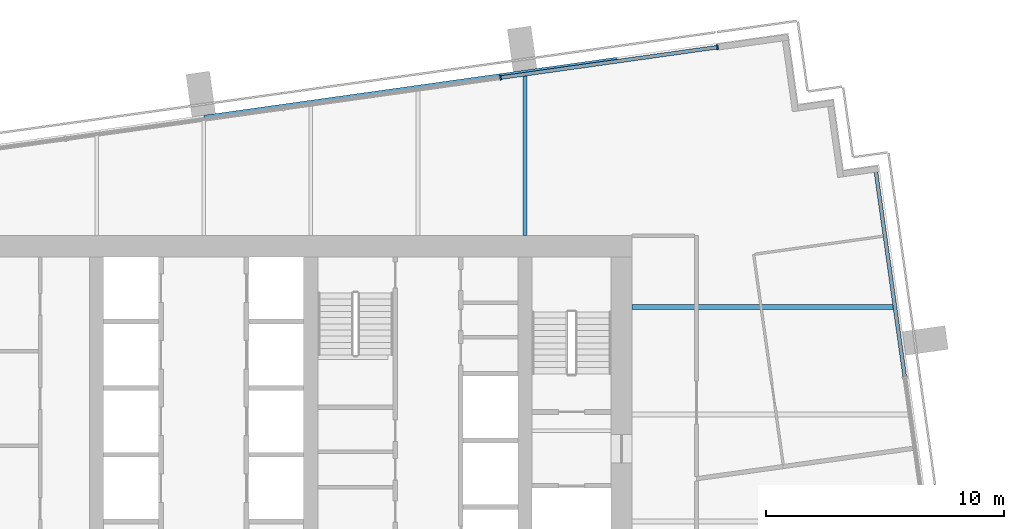
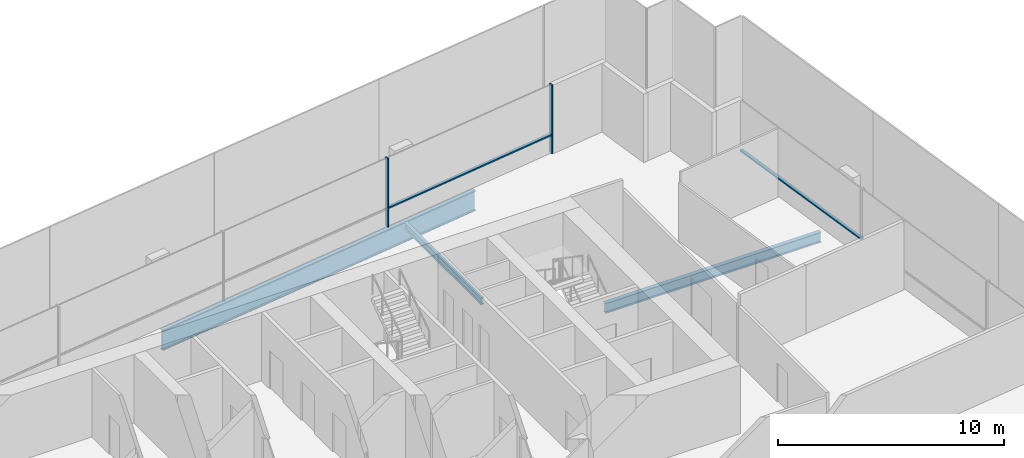
# One storey, part 7 of 17: 4 members, 3 beams, 2 elements without a shape of their own.
"""IFC4 building model written with IfcOpenShell, lengths in metres."""

from ifc_helpers import new_model, si_unit, direction, frame, origin, origin_2d, place, context, subcontext, project, spatial, rectangle, i_section, extrude, material, layer, layer_set, material_profile, profile_set, type_object, element, aggregate, save


model = new_model("IFC4")

# Units and contexts
model_context = context("Model", 3, precision=1e-05, world=origin(), true_north=direction((0.0, 1.0)))
body_context = subcontext(model_context, "Body", "Model", "MODEL_VIEW")
ifc_project = project(units=[si_unit("LENGTHUNIT", "METRE"), si_unit("AREAUNIT", "SQUARE_METRE"), si_unit("VOLUMEUNIT", "CUBIC_METRE"), si_unit("PLANEANGLEUNIT", "RADIAN"), si_unit("MASSUNIT", "GRAM", prefix="KILO")], contexts=[model_context])

# Site, building, storey
site_placement = place(None, origin())
site = spatial("IfcSite", under=ifc_project, at=site_placement, CompositionType="ELEMENT")
building_placement = place(site_placement, origin())
building = spatial("IfcBuilding", under=site, at=building_placement, Name="Rattan Terrace Tower", CompositionType="ELEMENT")
storey_placement = place(building_placement, frame((0.0, 0.0, 236.89990234375)))
storey = spatial("IfcBuildingStorey", under=building, at=storey_placement, Name="L54", CompositionType="ELEMENT", Elevation=236.89990234375)

# Beams
ifc_material_1 = material(Name="Steel S460", Category="steel")
ifc_material_profile_1 = material_profile(ifc_material_1, i_section(OverallWidth=0.179931640625, OverallDepth=1.10009765625, WebThickness=0.01611328125, FlangeThickness=0.050048828125, at=origin_2d()), Name="PG 1100x180-16-50")
ifc_profile_set_1 = profile_set([ifc_material_profile_1], Name="Steel S460")
beam_type_1 = type_object("IfcBeamType", Name="Frame edge girder PG 1100x180-16-50", PredefinedType="SPANDREL", material=ifc_profile_set_1)
beam_1_placement = place(storey_placement, frame((17.3740234375, 14.909912109375, -0.75), z_axis=(-0.990275742813, -0.139118486179, 0.0), x_axis=(0.139118486179, -0.990275742813, 0.0)))
element("IfcBeam", 1, at=beam_1_placement, inside=storey, type_object=beam_type_1, Name="gdr-L54-006", PredefinedType="SPANDREL", context=body_context, shape_type="SweptSolid", body=[
    extrude(i_section(OverallWidth=0.179931640625, OverallDepth=1.10009765625, WebThickness=0.01611328125, FlangeThickness=0.050048828125, at=origin_2d()), origin(), (0.0, 0.0, 1.0), 17.531494140625),
])
ifc_material_2 = material(Name="Steel S355", Category="steel")
ifc_material_profile_2 = material_profile(ifc_material_2, i_section(OverallWidth=0.169921875, OverallDepth=0.360107421875, WebThickness=0.008056640625, FlangeThickness=0.0126953125, FilletRadius=0.01806640625, at=origin_2d()), Name="IPE 360")
ifc_profile_set_2 = profile_set([ifc_material_profile_2], Name="Steel S355")
beam_type_2 = type_object("IfcBeamType", Name="Frame floor beam IPE 360", PredefinedType="JOIST", material=ifc_profile_set_2)
beam_2_placement = place(storey_placement, frame((13.5, 7.5, -0.3798828125), z_axis=(0.0, 1.0, 0.0), x_axis=(-1.0, 0.0, 0.0)))
element("IfcBeam", 2, at=beam_2_placement, inside=storey, type_object=beam_type_2, Name="bm-L54-020", PredefinedType="JOIST", context=body_context, shape_type="SweptSolid", body=[
    extrude(i_section(OverallWidth=0.169921875, OverallDepth=0.360107421875, WebThickness=0.008056640625, FlangeThickness=0.0126953125, FilletRadius=0.01806640625, at=origin_2d()), origin(), (0.0, 0.0, 1.0), 6.762939453125),
])
ifc_material_3 = material(Name="Steel S355", Category="steel")
ifc_material_profile_3 = material_profile(ifc_material_3, i_section(OverallWidth=0.2099609375, OverallDepth=0.550048828125, WebThickness=0.010986328125, FlangeThickness=0.01708984375, FilletRadius=0.02392578125, at=origin_2d()), Name="IPE 550")
ifc_profile_set_3 = profile_set([ifc_material_profile_3], Name="Steel S355")
beam_type_3 = type_object("IfcBeamType", Name="Frame floor beam IPE 550", PredefinedType="JOIST", material=ifc_profile_set_3)
beam_3_placement = place(storey_placement, frame((18.0, 4.5, -0.474853515625), z_axis=(1.0, 0.0, 0.0), x_axis=(0.0, 1.0, 0.0)))
element("IfcBeam", 3, at=beam_3_placement, inside=storey, type_object=beam_type_3, Name="bm-L54-013", PredefinedType="JOIST", context=body_context, shape_type="SweptSolid", body=[
    extrude(i_section(OverallWidth=0.2099609375, OverallDepth=0.550048828125, WebThickness=0.010986328125, FlangeThickness=0.01708984375, FilletRadius=0.02392578125, at=origin_2d()), origin(), (0.0, 0.0, 1.0), 11.013916015625),
])

# Curtain wall, members
ifc_material_4 = material(Name="Aluminium and laminated glass", Category="aluminium")
ifc_layer = layer(ifc_material_4, 0.199951171875)
ifc_layer_set = layer_set([ifc_layer], Name="High-Zone Unitised Curtain Wall")
curtain_wall_type = type_object("IfcCurtainWallType", Name="High-Zone Unitised Curtain Wall", PredefinedType="NOTDEFINED", material=ifc_layer_set)
curtain_wall_1_placement = place(storey_placement, origin())
curtain_wall_1 = element("IfcCurtainWall", 4, at=curtain_wall_1_placement, inside=storey, type_object=curtain_wall_type, Name="High-zone curtain wall L54-2", PredefinedType="NOTDEFINED")
ifc_material_5 = material(Name="Aluminium", Category="aluminium")
ifc_material_profile_4 = material_profile(ifc_material_5, rectangle(XDim=0.070068359375, YDim=0.199951171875, at=origin_2d()), Name="Aluminium 70x200")
ifc_profile_set_4 = profile_set([ifc_material_profile_4], Name="Aluminium")
member_type_1 = type_object("IfcMemberType", Name="High-Zone CW Mullion 70x200", PredefinedType="MULLION", material=ifc_profile_set_4)
member_1_placement = place(storey_placement, frame((21.580078125, 15.4208984375, 0.0), z_axis=(0.0, 0.0, 1.0), x_axis=(-0.990267457022, -0.139177453499, 0.0)))
member_1 = element("IfcMember", 5, at=member_1_placement, type_object=member_type_1, Name="Mullion cwl-L54-002.1", PredefinedType="MULLION", context=body_context, shape_type="SweptSolid", body=[
    extrude(rectangle(XDim=0.070068359375, YDim=0.199951171875, at=origin_2d()), origin(), (0.0, 0.0, 1.0), 3.7001953125),
])
member_2_placement = place(storey_placement, frame((12.473388671875, 14.140869140625, 0.0), z_axis=(0.0, 0.0, 1.0), x_axis=(-0.990267457022, -0.139177453499, 0.0)))
member_2 = element("IfcMember", 6, at=member_2_placement, type_object=member_type_1, Name="Mullion cwl-L54-002.2", PredefinedType="MULLION", context=body_context, shape_type="SweptSolid", body=[
    extrude(rectangle(XDim=0.070068359375, YDim=0.199951171875, at=origin_2d()), origin(), (0.0, 0.0, 1.0), 3.7001953125),
])

# Curtain wall, member
curtain_wall_2_placement = place(storey_placement, origin())
curtain_wall_2 = element("IfcCurtainWall", 7, at=curtain_wall_2_placement, inside=storey, type_object=curtain_wall_type, Name="High-zone curtain wall L54-1", PredefinedType="NOTDEFINED")
ifc_material_6 = material(Name="Aluminium", Category="aluminium")
ifc_material_profile_5 = material_profile(ifc_material_6, rectangle(XDim=0.159912109375, YDim=0.070068359375, at=origin_2d()), Name="Aluminium 160x70")
ifc_profile_set_5 = profile_set([ifc_material_profile_5], Name="Aluminium")
member_type_2 = type_object("IfcMemberType", Name="High-Zone CW Transom 160x70", PredefinedType="USERDEFINED", material=ifc_profile_set_5)
member_3_placement = place(storey_placement, frame((29.447509765625, 1.585693359375, 1.0), z_axis=(-0.139193563319, 0.990265192729, 0.0), x_axis=(-0.990265192729, -0.139193563319, 0.0)))
member_3 = element("IfcMember", 8, at=member_3_placement, type_object=member_type_2, Name="Transom cwl-L54-001.3", ObjectType="TRANSOM", PredefinedType="USERDEFINED", context=body_context, shape_type="SweptSolid", body=[
    extrude(rectangle(XDim=0.159912109375, YDim=0.070068359375, at=origin_2d()), origin(), (0.0, 0.0, 1.0), 8.669921875),
])
aggregate(curtain_wall_2, [member_3])

# Member
member_4_placement = place(storey_placement, frame((21.54541015625, 15.416015625, 1.0), z_axis=(-0.990265856778, -0.139188838988, 0.0), x_axis=(0.139188838988, -0.990265856778, 0.0)))
member_4 = element("IfcMember", 9, at=member_4_placement, type_object=member_type_2, Name="Transom cwl-L54-002.1", ObjectType="TRANSOM", PredefinedType="USERDEFINED", context=body_context, shape_type="SweptSolid", body=[
    extrude(rectangle(XDim=0.159912109375, YDim=0.070068359375, at=origin_2d()), origin(), (0.0, 0.0, 1.0), 9.126220703125),
])

aggregate(curtain_wall_1, [member_1, member_2, member_4])

save(model, "model.ifc")
